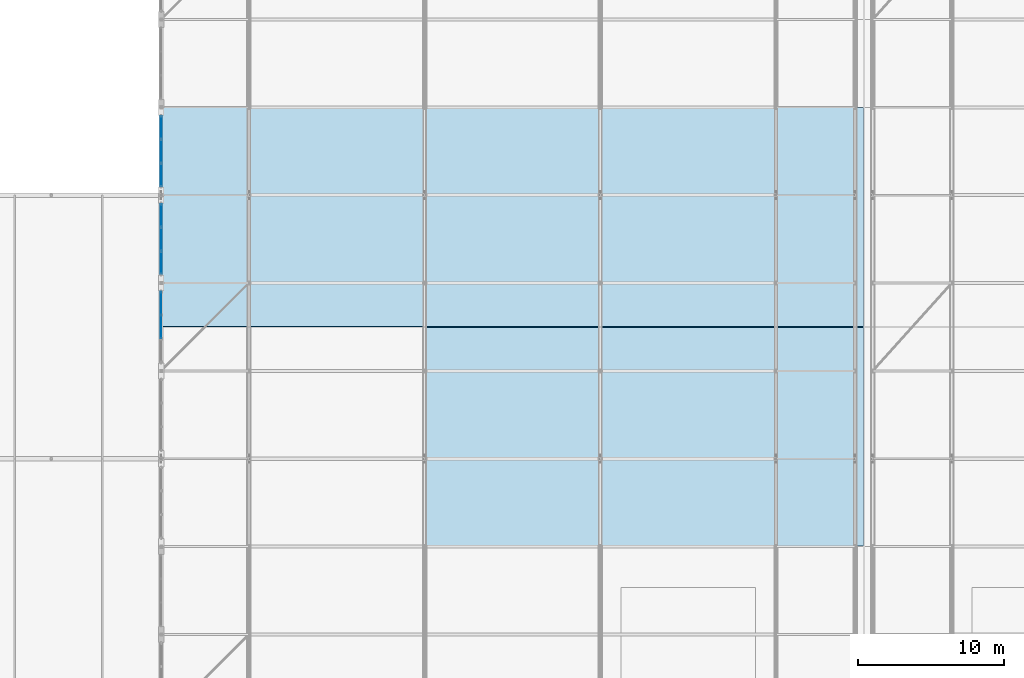
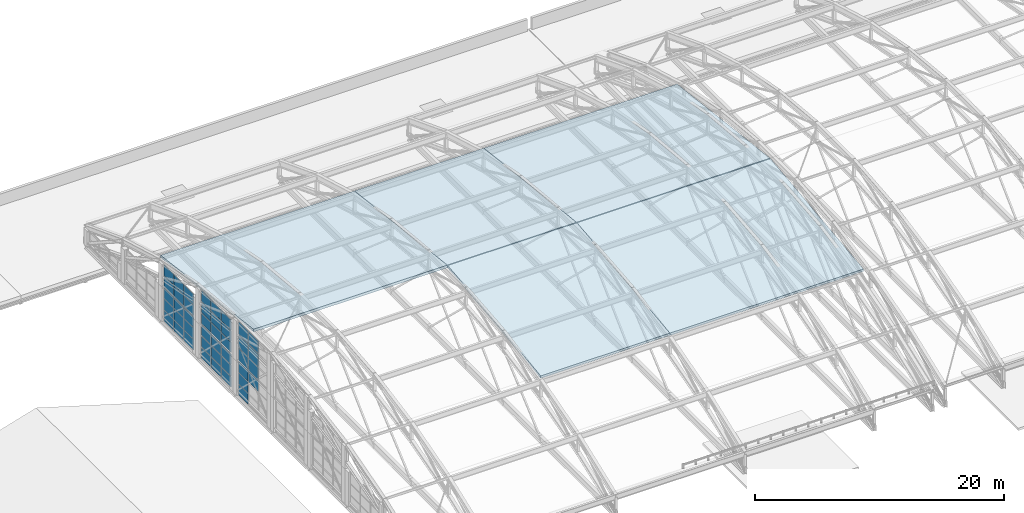
# One storey, part 161 of 204: 43 plates, 5 slabs, 7 elements without a shape of their own.
"""IFC4 building model written with IfcOpenShell, lengths in metres."""

from ifc_helpers import new_model, si_unit, direction, frame, origin, origin_2d, place, context, subcontext, project, spatial, polyline, rectangle, outline, extrude, material, layer, layer_set, type_object, element, aggregate, save


model = new_model("IFC4")

# Units and contexts
model_context = context("Model", 3, precision=1e-05, world=origin(), true_north=direction((0.0, 1.0)))
body_context = subcontext(model_context, "Body", "Model", "MODEL_VIEW")
ifc_project = project(units=[si_unit("LENGTHUNIT", "METRE"), si_unit("AREAUNIT", "SQUARE_METRE"), si_unit("VOLUMEUNIT", "CUBIC_METRE"), si_unit("PLANEANGLEUNIT", "RADIAN"), si_unit("MASSUNIT", "GRAM", prefix="KILO")], contexts=[model_context])

# Site, building, storey
site_placement = place(None, origin())
site = spatial("IfcSite", under=ifc_project, at=site_placement, CompositionType="ELEMENT")
building_placement = place(site_placement, origin())
building = spatial("IfcBuilding", under=site, at=building_placement, Name="Zilviju Railside Exhibition Hall", CompositionType="ELEMENT")
storey_placement = place(building_placement, frame((0.0, 0.0, 21.0)))
storey = spatial("IfcBuildingStorey", under=building, at=storey_placement, Name="RF", CompositionType="ELEMENT", Elevation=21.0)

# Curtain wall, plates
ifc_material_1 = material(Name="Thermally broken aluminium-steel triple-glazed curtain wall", Category="steel")
ifc_layer_1 = layer(ifc_material_1, 0.179931640625)
ifc_layer_set_1 = layer_set([ifc_layer_1], Name="Thermally broken aluminium-steel triple-glazed curtain wall")
curtain_wall_type_1 = type_object("IfcCurtainWallType", Name="CW-BAY-03", PredefinedType="USERDEFINED", material=ifc_layer_set_1)
curtain_wall_1_placement = place(storey_placement, origin())
curtain_wall_1 = element("IfcCurtainWall", 1, at=curtain_wall_1_placement, inside=storey, type_object=curtain_wall_type_1, Name="North Hall Arch Lower Tympanum Glazing West P5", ObjectType="GLAZED CURTAIN WALL", PredefinedType="USERDEFINED")
ifc_material_2 = material(Name="Laminated acoustic double-glazed porch unit", Category="glass")
ifc_layer_2 = layer(ifc_material_2, 0.031982421875)
ifc_layer_set_2 = layer_set([ifc_layer_2], Name="Laminated acoustic double-glazed porch unit")
plate_type_1 = type_object("IfcPlateType", Name="CWP-IGU-32", PredefinedType="CURTAIN_PANEL", material=ifc_layer_set_2)
plate_1_placement = place(storey_placement, frame((78.0, 111.0, -1.302978515625), z_axis=(0.0, 0.0, 1.0), x_axis=(0.0, 1.0, 0.0)))
plate_1 = element("IfcPlate", 2, at=plate_1_placement, type_object=plate_type_1, Name="CW-03 panel 2.3", PredefinedType="CURTAIN_PANEL", context=body_context, shape_type="SweptSolid", body=[
    extrude(rectangle(XDim=1.5732421875, YDim=0.031982421875, at=origin_2d()), origin(), (0.0, 0.0, 1.0), 1.04296875),
])
plate_2_placement = place(storey_placement, frame((78.0, 112.618408203125, -3.5400390625), z_axis=(0.0, 0.0, 1.0), x_axis=(0.0, 1.0, 0.0)))
plate_2 = element("IfcPlate", 3, at=plate_2_placement, type_object=plate_type_1, Name="CW-03 panel 3.1", PredefinedType="CURTAIN_PANEL", context=body_context, shape_type="SweptSolid", body=[
    extrude(rectangle(XDim=1.543212890625, YDim=0.031982421875, at=origin_2d()), origin(), (0.0, 0.0, 1.0), 1.04296875),
])
plate_3_placement = place(storey_placement, frame((78.0, 112.618408203125, -2.43701171875), z_axis=(0.0, 0.0, 1.0), x_axis=(0.0, 1.0, 0.0)))
plate_3 = element("IfcPlate", 4, at=plate_3_placement, type_object=plate_type_1, Name="CW-03 panel 3.2", PredefinedType="CURTAIN_PANEL", context=body_context, shape_type="SweptSolid", body=[
    extrude(rectangle(XDim=1.543212890625, YDim=0.031982421875, at=origin_2d()), origin(), (0.0, 0.0, 1.0), 1.073974609375),
])
plate_4_placement = place(storey_placement, frame((78.0, 112.618408203125, -1.302978515625), z_axis=(0.0, 0.0, 1.0), x_axis=(0.0, 1.0, 0.0)))
plate_4 = element("IfcPlate", 5, at=plate_4_placement, type_object=plate_type_1, Name="CW-03 panel 3.3", PredefinedType="CURTAIN_PANEL", context=body_context, shape_type="SweptSolid", body=[
    extrude(rectangle(XDim=1.543212890625, YDim=0.031982421875, at=origin_2d()), origin(), (0.0, 0.0, 1.0), 1.04296875),
])
aggregate(curtain_wall_1, [plate_1, plate_2, plate_3, plate_4])

ifc_layer_3 = layer(ifc_material_1, 0.179931640625)
ifc_layer_set_3 = layer_set([ifc_layer_3], Name="Thermally broken aluminium-steel triple-glazed curtain wall")
curtain_wall_type_2 = type_object("IfcCurtainWallType", Name="CW-BAY-12", PredefinedType="USERDEFINED", material=ifc_layer_set_3)
curtain_wall_2_placement = place(storey_placement, origin())
curtain_wall_2 = element("IfcCurtainWall", 6, at=curtain_wall_2_placement, inside=storey, type_object=curtain_wall_type_2, Name="North Hall Crown Arch Tympanum Glazing West P7", ObjectType="GLAZED CURTAIN WALL", PredefinedType="USERDEFINED")
ifc_material_3 = material(Name="Triple-glazed low-E argon insulating glass unit", Category="glass")
ifc_layer_4 = layer(ifc_material_3, 0.0439453125)
ifc_layer_set_4 = layer_set([ifc_layer_4], Name="Triple-glazed low-E argon insulating glass unit")
plate_type_2 = type_object("IfcPlateType", Name="CWP-IGU-44", PredefinedType="CURTAIN_PANEL", material=ifc_layer_set_4)
plate_5_placement = place(storey_placement, frame((78.0, 121.38037109375, -0.14501953125), z_axis=(0.0, 0.0, 1.0), x_axis=(0.0, 1.0, 0.0)))
plate_5 = element("IfcPlate", 7, at=plate_5_placement, type_object=plate_type_2, Name="CW-12 panel 1.1", PredefinedType="CURTAIN_PANEL", context=body_context, shape_type="SweptSolid", body=[
    extrude(rectangle(XDim=1.55078125, YDim=0.0439453125, at=origin_2d()), origin(), (0.0, 0.0, 1.0), 1.0224609375),
])
plate_6_placement = place(storey_placement, frame((78.0, 121.38037109375, 0.932373046875), z_axis=(0.0, 0.0, 1.0), x_axis=(0.0, 1.0, 0.0)))
plate_6 = element("IfcPlate", 8, at=plate_6_placement, type_object=plate_type_2, Name="CW-12 panel 1.2", PredefinedType="CURTAIN_PANEL", context=body_context, shape_type="SweptSolid", body=[
    extrude(rectangle(XDim=1.55078125, YDim=0.0439453125, at=origin_2d()), origin(), (0.0, 0.0, 1.0), 1.0224609375),
])
plate_7_placement = place(storey_placement, frame((78.0, 123.0, -0.14501953125), z_axis=(0.0, 0.0, 1.0), x_axis=(0.0, 1.0, 0.0)))
plate_7 = element("IfcPlate", 9, at=plate_7_placement, type_object=plate_type_2, Name="CW-12 panel 2.1", PredefinedType="CURTAIN_PANEL", context=body_context, shape_type="SweptSolid", body=[
    extrude(rectangle(XDim=1.578369140625, YDim=0.0439453125, at=origin_2d()), origin(), (0.0, 0.0, 1.0), 1.0224609375),
])
plate_8_placement = place(storey_placement, frame((78.0, 123.0, 0.932373046875), z_axis=(0.0, 0.0, 1.0), x_axis=(0.0, 1.0, 0.0)))
plate_8 = element("IfcPlate", 10, at=plate_8_placement, type_object=plate_type_2, Name="CW-12 panel 2.2", PredefinedType="CURTAIN_PANEL", context=body_context, shape_type="SweptSolid", body=[
    extrude(rectangle(XDim=1.578369140625, YDim=0.0439453125, at=origin_2d()), origin(), (0.0, 0.0, 1.0), 1.0224609375),
])
plate_9_placement = place(storey_placement, frame((78.0, 124.61962890625, -0.14501953125), z_axis=(0.0, 0.0, 1.0), x_axis=(0.0, 1.0, 0.0)))
plate_9 = element("IfcPlate", 11, at=plate_9_placement, type_object=plate_type_2, Name="CW-12 panel 3.1", PredefinedType="CURTAIN_PANEL", context=body_context, shape_type="SweptSolid", body=[
    extrude(rectangle(XDim=1.55078125, YDim=0.0439453125, at=origin_2d()), origin(), (0.0, 0.0, 1.0), 1.0224609375),
])
plate_10_placement = place(storey_placement, frame((78.0, 124.61962890625, 0.932373046875), z_axis=(0.0, 0.0, 1.0), x_axis=(0.0, 1.0, 0.0)))
plate_10 = element("IfcPlate", 12, at=plate_10_placement, type_object=plate_type_2, Name="CW-12 panel 3.2", PredefinedType="CURTAIN_PANEL", context=body_context, shape_type="SweptSolid", body=[
    extrude(rectangle(XDim=1.55078125, YDim=0.0439453125, at=origin_2d()), origin(), (0.0, 0.0, 1.0), 1.0224609375),
])
aggregate(curtain_wall_2, [plate_5, plate_6, plate_7, plate_8, plate_9, plate_10])

ifc_layer_5 = layer(ifc_material_1, 0.179931640625)
ifc_layer_set_5 = layer_set([ifc_layer_5], Name="Thermally broken aluminium-steel triple-glazed curtain wall")
curtain_wall_type_3 = type_object("IfcCurtainWallType", Name="CW-BAY-04", PredefinedType="USERDEFINED", material=ifc_layer_set_5)
curtain_wall_3_placement = place(storey_placement, origin())
curtain_wall_3 = element("IfcCurtainWall", 13, at=curtain_wall_3_placement, inside=storey, type_object=curtain_wall_type_3, Name="North Hall Arch Lower Tympanum Glazing West P6", ObjectType="GLAZED CURTAIN WALL", PredefinedType="USERDEFINED")
ifc_material_4 = material(Name="Insulated cobalt-blue enamelled spandrel glass panel", Category="glass")
ifc_layer_6 = layer(ifc_material_4, 0.052001953125)
ifc_layer_set_6 = layer_set([ifc_layer_6], Name="Insulated cobalt-blue enamelled spandrel glass panel")
plate_type_3 = type_object("IfcPlateType", Name="CWP-SPD-52", PredefinedType="CURTAIN_PANEL", material=ifc_layer_set_6)
plate_11_placement = place(storey_placement, frame((78.0, 115.38671875, -3.52001953125), z_axis=(0.0, 0.0, 1.0), x_axis=(0.0, 1.0, 0.0)))
plate_11 = element("IfcPlate", 14, at=plate_11_placement, type_object=plate_type_3, Name="CW-04 panel 1.1", PredefinedType="CURTAIN_PANEL", context=body_context, shape_type="SweptSolid", body=[
    extrude(rectangle(XDim=1.513427734375, YDim=0.052001953125, at=origin_2d()), origin(), (0.0, 0.0, 1.0), 1.012939453125),
])
plate_12_placement = place(storey_placement, frame((78.0, 115.38671875, -2.4267578125), z_axis=(0.0, 0.0, 1.0), x_axis=(0.0, 1.0, 0.0)))
plate_12 = element("IfcPlate", 15, at=plate_12_placement, type_object=plate_type_3, Name="CW-04 panel 1.2", PredefinedType="CURTAIN_PANEL", context=body_context, shape_type="SweptSolid", body=[
    extrude(rectangle(XDim=1.513427734375, YDim=0.052001953125, at=origin_2d()), origin(), (0.0, 0.0, 1.0), 1.053955078125),
])
plate_13_placement = place(storey_placement, frame((78.0, 115.38671875, -1.29296875), z_axis=(0.0, 0.0, 1.0), x_axis=(0.0, 1.0, 0.0)))
plate_13 = element("IfcPlate", 16, at=plate_13_placement, type_object=plate_type_3, Name="CW-04 panel 1.3", PredefinedType="CURTAIN_PANEL", context=body_context, shape_type="SweptSolid", body=[
    extrude(rectangle(XDim=1.513427734375, YDim=0.052001953125, at=origin_2d()), origin(), (0.0, 0.0, 1.0), 1.012939453125),
])
plate_14_placement = place(storey_placement, frame((78.0, 117.0, -3.52001953125), z_axis=(0.0, 0.0, 1.0), x_axis=(0.0, 1.0, 0.0)))
plate_14 = element("IfcPlate", 17, at=plate_14_placement, type_object=plate_type_3, Name="CW-04 panel 2.1", PredefinedType="CURTAIN_PANEL", context=body_context, shape_type="SweptSolid", body=[
    extrude(rectangle(XDim=1.55322265625, YDim=0.052001953125, at=origin_2d()), origin(), (0.0, 0.0, 1.0), 1.012939453125),
])
plate_15_placement = place(storey_placement, frame((78.0, 117.0, -2.4267578125), z_axis=(0.0, 0.0, 1.0), x_axis=(0.0, 1.0, 0.0)))
plate_15 = element("IfcPlate", 18, at=plate_15_placement, type_object=plate_type_3, Name="CW-04 panel 2.2", PredefinedType="CURTAIN_PANEL", context=body_context, shape_type="SweptSolid", body=[
    extrude(rectangle(XDim=1.55322265625, YDim=0.052001953125, at=origin_2d()), origin(), (0.0, 0.0, 1.0), 1.053955078125),
])
plate_16_placement = place(storey_placement, frame((78.0, 117.0, -1.29296875), z_axis=(0.0, 0.0, 1.0), x_axis=(0.0, 1.0, 0.0)))
plate_16 = element("IfcPlate", 19, at=plate_16_placement, type_object=plate_type_3, Name="CW-04 panel 2.3", PredefinedType="CURTAIN_PANEL", context=body_context, shape_type="SweptSolid", body=[
    extrude(rectangle(XDim=1.55322265625, YDim=0.052001953125, at=origin_2d()), origin(), (0.0, 0.0, 1.0), 1.012939453125),
])
plate_17_placement = place(storey_placement, frame((78.0, 118.61328125, -3.52001953125), z_axis=(0.0, 0.0, 1.0), x_axis=(0.0, 1.0, 0.0)))
plate_17 = element("IfcPlate", 20, at=plate_17_placement, type_object=plate_type_3, Name="CW-04 panel 3.1", PredefinedType="CURTAIN_PANEL", context=body_context, shape_type="SweptSolid", body=[
    extrude(rectangle(XDim=1.513427734375, YDim=0.052001953125, at=origin_2d()), origin(), (0.0, 0.0, 1.0), 1.012939453125),
])
plate_18_placement = place(storey_placement, frame((78.0, 118.61328125, -2.4267578125), z_axis=(0.0, 0.0, 1.0), x_axis=(0.0, 1.0, 0.0)))
plate_18 = element("IfcPlate", 21, at=plate_18_placement, type_object=plate_type_3, Name="CW-04 panel 3.2", PredefinedType="CURTAIN_PANEL", context=body_context, shape_type="SweptSolid", body=[
    extrude(rectangle(XDim=1.513427734375, YDim=0.052001953125, at=origin_2d()), origin(), (0.0, 0.0, 1.0), 1.053955078125),
])
plate_19_placement = place(storey_placement, frame((78.0, 118.61328125, -1.29296875), z_axis=(0.0, 0.0, 1.0), x_axis=(0.0, 1.0, 0.0)))
plate_19 = element("IfcPlate", 22, at=plate_19_placement, type_object=plate_type_3, Name="CW-04 panel 3.3", PredefinedType="CURTAIN_PANEL", context=body_context, shape_type="SweptSolid", body=[
    extrude(rectangle(XDim=1.513427734375, YDim=0.052001953125, at=origin_2d()), origin(), (0.0, 0.0, 1.0), 1.012939453125),
])
aggregate(curtain_wall_3, [plate_11, plate_12, plate_13, plate_14, plate_15, plate_16, plate_17, plate_18, plate_19])

ifc_layer_7 = layer(ifc_material_1, 0.179931640625)
ifc_layer_set_7 = layer_set([ifc_layer_7], Name="Thermally broken aluminium-steel triple-glazed curtain wall")
curtain_wall_type_4 = type_object("IfcCurtainWallType", Name="CW-BAY-10", PredefinedType="USERDEFINED", material=ifc_layer_set_7)
curtain_wall_4_placement = place(storey_placement, origin())
curtain_wall_4 = element("IfcCurtainWall", 23, at=curtain_wall_4_placement, inside=storey, type_object=curtain_wall_type_4, Name="North Hall Crown Arch Tympanum Glazing West P5", ObjectType="GLAZED CURTAIN WALL", PredefinedType="USERDEFINED")
plate_20_placement = place(storey_placement, frame((78.0, 111.0, -0.119873046875), z_axis=(0.0, 0.0, 1.0), x_axis=(0.0, 1.0, 0.0)))
plate_20 = element("IfcPlate", 24, at=plate_20_placement, type_object=plate_type_3, Name="CW-10 panel 2.1", PredefinedType="CURTAIN_PANEL", context=body_context, shape_type="SweptSolid", body=[
    extrude(rectangle(XDim=1.55322265625, YDim=0.052001953125, at=origin_2d()), origin(), (0.0, 0.0, 1.0), 1.18896484375),
])
plate_21_placement = place(storey_placement, frame((78.0, 111.0, 1.14892578125), z_axis=(0.0, 0.0, 1.0), x_axis=(0.0, 1.0, 0.0)))
plate_21 = element("IfcPlate", 25, at=plate_21_placement, type_object=plate_type_3, Name="CW-10 panel 2.2", PredefinedType="CURTAIN_PANEL", context=body_context, shape_type="SweptSolid", body=[
    extrude(rectangle(XDim=1.55322265625, YDim=0.052001953125, at=origin_2d()), origin(), (0.0, 0.0, 1.0), 1.22998046875),
])
plate_22_placement = place(storey_placement, frame((78.0, 111.0, 2.458984375), z_axis=(0.0, 0.0, 1.0), x_axis=(0.0, 1.0, 0.0)))
plate_22 = element("IfcPlate", 26, at=plate_22_placement, type_object=plate_type_3, Name="CW-10 panel 2.3", PredefinedType="CURTAIN_PANEL", context=body_context, shape_type="SweptSolid", body=[
    extrude(rectangle(XDim=1.55322265625, YDim=0.052001953125, at=origin_2d()), origin(), (0.0, 0.0, 1.0), 1.189453125),
])
plate_23_placement = place(storey_placement, frame((78.0, 112.61328125, -0.119873046875), z_axis=(0.0, 0.0, 1.0), x_axis=(0.0, 1.0, 0.0)))
plate_23 = element("IfcPlate", 27, at=plate_23_placement, type_object=plate_type_3, Name="CW-10 panel 3.1", PredefinedType="CURTAIN_PANEL", context=body_context, shape_type="SweptSolid", body=[
    extrude(rectangle(XDim=1.513427734375, YDim=0.052001953125, at=origin_2d()), origin(), (0.0, 0.0, 1.0), 1.18896484375),
])
plate_24_placement = place(storey_placement, frame((78.0, 112.61328125, 1.14892578125), z_axis=(0.0, 0.0, 1.0), x_axis=(0.0, 1.0, 0.0)))
plate_24 = element("IfcPlate", 28, at=plate_24_placement, type_object=plate_type_3, Name="CW-10 panel 3.2", PredefinedType="CURTAIN_PANEL", context=body_context, shape_type="SweptSolid", body=[
    extrude(rectangle(XDim=1.513427734375, YDim=0.052001953125, at=origin_2d()), origin(), (0.0, 0.0, 1.0), 1.22998046875),
])
plate_25_placement = place(storey_placement, frame((78.0, 112.61328125, 2.458984375), z_axis=(0.0, 0.0, 1.0), x_axis=(0.0, 1.0, 0.0)))
plate_25 = element("IfcPlate", 29, at=plate_25_placement, type_object=plate_type_3, Name="CW-10 panel 3.3", PredefinedType="CURTAIN_PANEL", context=body_context, shape_type="SweptSolid", body=[
    extrude(rectangle(XDim=1.513427734375, YDim=0.052001953125, at=origin_2d()), origin(), (0.0, 0.0, 1.0), 1.189453125),
])
aggregate(curtain_wall_4, [plate_20, plate_21, plate_22, plate_23, plate_24, plate_25])

ifc_layer_8 = layer(ifc_material_1, 0.179931640625)
ifc_layer_set_8 = layer_set([ifc_layer_8], Name="Thermally broken aluminium-steel triple-glazed curtain wall")
curtain_wall_type_5 = type_object("IfcCurtainWallType", Name="CW-BAY-05", PredefinedType="USERDEFINED", material=ifc_layer_set_8)
curtain_wall_5_placement = place(storey_placement, origin())
curtain_wall_5 = element("IfcCurtainWall", 30, at=curtain_wall_5_placement, inside=storey, type_object=curtain_wall_type_5, Name="North Hall Arch Lower Tympanum Glazing West P7", ObjectType="GLAZED CURTAIN WALL", PredefinedType="USERDEFINED")
ifc_material_5 = material(Name="Insulated emerald ceramic-frit spandrel panel", Category="glass")
ifc_layer_9 = layer(ifc_material_5, 0.06396484375)
ifc_layer_set_9 = layer_set([ifc_layer_9], Name="Insulated emerald ceramic-frit spandrel panel")
plate_type_4 = type_object("IfcPlateType", Name="CWP-SPD-64", PredefinedType="CURTAIN_PANEL", material=ifc_layer_set_9)
plate_26_placement = place(storey_placement, frame((78.0, 121.385498046875, -3.52490234375), z_axis=(0.0, 0.0, 1.0), x_axis=(0.0, 1.0, 0.0)))
plate_26 = element("IfcPlate", 31, at=plate_26_placement, type_object=plate_type_4, Name="CW-05 panel 1.1", PredefinedType="CURTAIN_PANEL", context=body_context, shape_type="SweptSolid", body=[
    extrude(rectangle(XDim=1.520751953125, YDim=0.06396484375, at=origin_2d()), origin(), (0.0, 0.0, 1.0), 1.0205078125),
])
plate_27_placement = place(storey_placement, frame((78.0, 121.385498046875, -2.429443359375), z_axis=(0.0, 0.0, 1.0), x_axis=(0.0, 1.0, 0.0)))
plate_27 = element("IfcPlate", 32, at=plate_27_placement, type_object=plate_type_4, Name="CW-05 panel 1.2", PredefinedType="CURTAIN_PANEL", context=body_context, shape_type="SweptSolid", body=[
    extrude(rectangle(XDim=1.520751953125, YDim=0.06396484375, at=origin_2d()), origin(), (0.0, 0.0, 1.0), 1.05908203125),
])
plate_28_placement = place(storey_placement, frame((78.0, 121.385498046875, -1.29541015625), z_axis=(0.0, 0.0, 1.0), x_axis=(0.0, 1.0, 0.0)))
plate_28 = element("IfcPlate", 33, at=plate_28_placement, type_object=plate_type_4, Name="CW-05 panel 1.3", PredefinedType="CURTAIN_PANEL", context=body_context, shape_type="SweptSolid", body=[
    extrude(rectangle(XDim=1.520751953125, YDim=0.06396484375, at=origin_2d()), origin(), (0.0, 0.0, 1.0), 1.0205078125),
])
plate_29_placement = place(storey_placement, frame((78.0, 123.0, -3.52490234375), z_axis=(0.0, 0.0, 1.0), x_axis=(0.0, 1.0, 0.0)))
plate_29 = element("IfcPlate", 34, at=plate_29_placement, type_object=plate_type_4, Name="CW-05 panel 2.1", PredefinedType="CURTAIN_PANEL", context=body_context, shape_type="SweptSolid", body=[
    extrude(rectangle(XDim=1.558349609375, YDim=0.06396484375, at=origin_2d()), origin(), (0.0, 0.0, 1.0), 1.0205078125),
])
plate_30_placement = place(storey_placement, frame((78.0, 123.0, -2.429443359375), z_axis=(0.0, 0.0, 1.0), x_axis=(0.0, 1.0, 0.0)))
plate_30 = element("IfcPlate", 35, at=plate_30_placement, type_object=plate_type_4, Name="CW-05 panel 2.2", PredefinedType="CURTAIN_PANEL", context=body_context, shape_type="SweptSolid", body=[
    extrude(rectangle(XDim=1.558349609375, YDim=0.06396484375, at=origin_2d()), origin(), (0.0, 0.0, 1.0), 1.05908203125),
])
plate_31_placement = place(storey_placement, frame((78.0, 123.0, -1.29541015625), z_axis=(0.0, 0.0, 1.0), x_axis=(0.0, 1.0, 0.0)))
plate_31 = element("IfcPlate", 36, at=plate_31_placement, type_object=plate_type_4, Name="CW-05 panel 2.3", PredefinedType="CURTAIN_PANEL", context=body_context, shape_type="SweptSolid", body=[
    extrude(rectangle(XDim=1.558349609375, YDim=0.06396484375, at=origin_2d()), origin(), (0.0, 0.0, 1.0), 1.0205078125),
])
plate_32_placement = place(storey_placement, frame((78.0, 124.614501953125, -3.52490234375), z_axis=(0.0, 0.0, 1.0), x_axis=(0.0, 1.0, 0.0)))
plate_32 = element("IfcPlate", 37, at=plate_32_placement, type_object=plate_type_4, Name="CW-05 panel 3.1", PredefinedType="CURTAIN_PANEL", context=body_context, shape_type="SweptSolid", body=[
    extrude(rectangle(XDim=1.520751953125, YDim=0.06396484375, at=origin_2d()), origin(), (0.0, 0.0, 1.0), 1.0205078125),
])
plate_33_placement = place(storey_placement, frame((78.0, 124.614501953125, -2.429443359375), z_axis=(0.0, 0.0, 1.0), x_axis=(0.0, 1.0, 0.0)))
plate_33 = element("IfcPlate", 38, at=plate_33_placement, type_object=plate_type_4, Name="CW-05 panel 3.2", PredefinedType="CURTAIN_PANEL", context=body_context, shape_type="SweptSolid", body=[
    extrude(rectangle(XDim=1.520751953125, YDim=0.06396484375, at=origin_2d()), origin(), (0.0, 0.0, 1.0), 1.05908203125),
])
plate_34_placement = place(storey_placement, frame((78.0, 124.614501953125, -1.29541015625), z_axis=(0.0, 0.0, 1.0), x_axis=(0.0, 1.0, 0.0)))
plate_34 = element("IfcPlate", 39, at=plate_34_placement, type_object=plate_type_4, Name="CW-05 panel 3.3", PredefinedType="CURTAIN_PANEL", context=body_context, shape_type="SweptSolid", body=[
    extrude(rectangle(XDim=1.520751953125, YDim=0.06396484375, at=origin_2d()), origin(), (0.0, 0.0, 1.0), 1.0205078125),
])
aggregate(curtain_wall_5, [plate_26, plate_27, plate_28, plate_29, plate_30, plate_31, plate_32, plate_33, plate_34])

ifc_layer_10 = layer(ifc_material_1, 0.179931640625)
ifc_layer_set_10 = layer_set([ifc_layer_10], Name="Thermally broken aluminium-steel triple-glazed curtain wall")
curtain_wall_type_6 = type_object("IfcCurtainWallType", Name="CW-BAY-11", PredefinedType="USERDEFINED", material=ifc_layer_set_10)
curtain_wall_6_placement = place(storey_placement, origin())
curtain_wall_6 = element("IfcCurtainWall", 40, at=curtain_wall_6_placement, inside=storey, type_object=curtain_wall_type_6, Name="North Hall Crown Arch Tympanum Glazing West P6", ObjectType="GLAZED CURTAIN WALL", PredefinedType="USERDEFINED")
plate_35_placement = place(storey_placement, frame((78.0, 115.385498046875, -0.125), z_axis=(0.0, 0.0, 1.0), x_axis=(0.0, 1.0, 0.0)))
plate_35 = element("IfcPlate", 41, at=plate_35_placement, type_object=plate_type_4, Name="CW-11 panel 1.1", PredefinedType="CURTAIN_PANEL", context=body_context, shape_type="SweptSolid", body=[
    extrude(rectangle(XDim=1.520751953125, YDim=0.06396484375, at=origin_2d()), origin(), (0.0, 0.0, 1.0), 1.006591796875),
])
plate_36_placement = place(storey_placement, frame((78.0, 115.385498046875, 0.95654296875), z_axis=(0.0, 0.0, 1.0), x_axis=(0.0, 1.0, 0.0)))
plate_36 = element("IfcPlate", 42, at=plate_36_placement, type_object=plate_type_4, Name="CW-11 panel 1.2", PredefinedType="CURTAIN_PANEL", context=body_context, shape_type="SweptSolid", body=[
    extrude(rectangle(XDim=1.520751953125, YDim=0.06396484375, at=origin_2d()), origin(), (0.0, 0.0, 1.0), 1.04296875),
])
plate_37_placement = place(storey_placement, frame((78.0, 115.385498046875, 2.07470703125), z_axis=(0.0, 0.0, 1.0), x_axis=(0.0, 1.0, 0.0)))
plate_37 = element("IfcPlate", 43, at=plate_37_placement, type_object=plate_type_4, Name="CW-11 panel 1.3", PredefinedType="CURTAIN_PANEL", context=body_context, shape_type="SweptSolid", body=[
    extrude(rectangle(XDim=1.520751953125, YDim=0.06396484375, at=origin_2d()), origin(), (0.0, 0.0, 1.0), 1.006103515625),
])
plate_38_placement = place(storey_placement, frame((78.0, 117.0, -0.125), z_axis=(0.0, 0.0, 1.0), x_axis=(0.0, 1.0, 0.0)))
plate_38 = element("IfcPlate", 44, at=plate_38_placement, type_object=plate_type_4, Name="CW-11 panel 2.1", PredefinedType="CURTAIN_PANEL", context=body_context, shape_type="SweptSolid", body=[
    extrude(rectangle(XDim=1.558349609375, YDim=0.06396484375, at=origin_2d()), origin(), (0.0, 0.0, 1.0), 1.006591796875),
])
plate_39_placement = place(storey_placement, frame((78.0, 117.0, 0.95654296875), z_axis=(0.0, 0.0, 1.0), x_axis=(0.0, 1.0, 0.0)))
plate_39 = element("IfcPlate", 45, at=plate_39_placement, type_object=plate_type_4, Name="CW-11 panel 2.2", PredefinedType="CURTAIN_PANEL", context=body_context, shape_type="SweptSolid", body=[
    extrude(rectangle(XDim=1.558349609375, YDim=0.06396484375, at=origin_2d()), origin(), (0.0, 0.0, 1.0), 1.04296875),
])
plate_40_placement = place(storey_placement, frame((78.0, 117.0, 2.07470703125), z_axis=(0.0, 0.0, 1.0), x_axis=(0.0, 1.0, 0.0)))
plate_40 = element("IfcPlate", 46, at=plate_40_placement, type_object=plate_type_4, Name="CW-11 panel 2.3", PredefinedType="CURTAIN_PANEL", context=body_context, shape_type="SweptSolid", body=[
    extrude(rectangle(XDim=1.558349609375, YDim=0.06396484375, at=origin_2d()), origin(), (0.0, 0.0, 1.0), 1.006103515625),
])
plate_41_placement = place(storey_placement, frame((78.0, 118.614501953125, -0.125), z_axis=(0.0, 0.0, 1.0), x_axis=(0.0, 1.0, 0.0)))
plate_41 = element("IfcPlate", 47, at=plate_41_placement, type_object=plate_type_4, Name="CW-11 panel 3.1", PredefinedType="CURTAIN_PANEL", context=body_context, shape_type="SweptSolid", body=[
    extrude(rectangle(XDim=1.520751953125, YDim=0.06396484375, at=origin_2d()), origin(), (0.0, 0.0, 1.0), 1.006591796875),
])
plate_42_placement = place(storey_placement, frame((78.0, 118.614501953125, 0.95654296875), z_axis=(0.0, 0.0, 1.0), x_axis=(0.0, 1.0, 0.0)))
plate_42 = element("IfcPlate", 48, at=plate_42_placement, type_object=plate_type_4, Name="CW-11 panel 3.2", PredefinedType="CURTAIN_PANEL", context=body_context, shape_type="SweptSolid", body=[
    extrude(rectangle(XDim=1.520751953125, YDim=0.06396484375, at=origin_2d()), origin(), (0.0, 0.0, 1.0), 1.04296875),
])
plate_43_placement = place(storey_placement, frame((78.0, 118.614501953125, 2.07470703125), z_axis=(0.0, 0.0, 1.0), x_axis=(0.0, 1.0, 0.0)))
plate_43 = element("IfcPlate", 49, at=plate_43_placement, type_object=plate_type_4, Name="CW-11 panel 3.3", PredefinedType="CURTAIN_PANEL", context=body_context, shape_type="SweptSolid", body=[
    extrude(rectangle(XDim=1.520751953125, YDim=0.06396484375, at=origin_2d()), origin(), (0.0, 0.0, 1.0), 1.006103515625),
])
aggregate(curtain_wall_6, [plate_35, plate_36, plate_37, plate_38, plate_39, plate_40, plate_41, plate_42, plate_43])

# Roof, slabs
ifc_material_6 = material(Name="Standing-seam zinc-copper acoustic barrel roof deck", Category="steel")
ifc_layer_11 = layer(ifc_material_6, 0.239990234375)
ifc_layer_set_11 = layer_set([ifc_layer_11], Name="Standing-seam zinc-copper acoustic barrel roof deck")
roof_type = type_object("IfcRoofType", Name="ROOF-BARREL-ZINC", PredefinedType="BARREL_ROOF", material=ifc_layer_set_11)
roof_placement = place(storey_placement, origin())
roof = element("IfcRoof", 50, at=roof_placement, inside=storey, type_object=roof_type, Name="V2 Standing-Seam Barrel Vault Roof Block 1", PredefinedType="BARREL_ROOF")
ifc_material_7 = material(Name="Concrete C35/45", Category="concrete")
ifc_layer_12 = layer(ifc_material_7, 0.239990234375)
ifc_layer_set_12 = layer_set([ifc_layer_12], Name="Concrete C35/45")
slab_type = type_object("IfcSlabType", Name="SL-ROOF-240", PredefinedType="ROOF", material=ifc_layer_set_12)
slab_1_placement = place(storey_placement, frame((96.0, 96.02490234375, 2.5478515625), z_axis=(0.0, -0.118492781909, 0.992954913697), x_axis=(1.0, 0.0, 0.0)))
slab_1 = element("IfcSlab", 51, at=slab_1_placement, type_object=slab_type, Name="V2 Barrel Vault Roof Deck B1.4", PredefinedType="ROOF", context=body_context, shape_type="SweptSolid", body=[
    extrude(outline(polyline([(0.0, 0.0), (12.0, 0.0), (12.0, 15.051104690874254), (0.0, 15.051104690874254), (0.0, 0.0)])), origin(), (0.0, 0.0, -1.0), 0.239990234375),
])
slab_2_placement = place(storey_placement, frame((108.0, 96.02490234375, 2.5478515625), z_axis=(0.0, -0.118492781909, 0.992954913697), x_axis=(1.0, 0.0, 0.0)))
slab_2 = element("IfcSlab", 52, at=slab_2_placement, type_object=slab_type, Name="V2 Barrel Vault Roof Deck B1.5", PredefinedType="ROOF", context=body_context, shape_type="SweptSolid", body=[
    extrude(outline(polyline([(0.0, 0.0), (17.969970703125, 0.0), (17.969970703125, 15.051104690874256), (0.0, 15.051104690874256), (0.0, 0.0)])), origin(), (0.0, 0.0, -1.0), 0.239990234375),
])
slab_3_placement = place(storey_placement, frame((78.0, 111.030029296875, 4.331298828125), z_axis=(0.0, 0.118492781909, 0.992954913697), x_axis=(1.0, 0.0, 0.0)))
slab_3 = element("IfcSlab", 53, at=slab_3_placement, type_object=slab_type, Name="V2 Barrel Vault Roof Deck B1.6", PredefinedType="ROOF", context=body_context, shape_type="SweptSolid", body=[
    extrude(outline(polyline([(0.0, 0.0), (18.0, 0.0), (18.0, 15.051104690874256), (0.0, 15.051104690874256), (0.0, 0.0)])), origin(), (0.0, 0.0, -1.0), 0.239990234375),
])
slab_4_placement = place(storey_placement, frame((96.0, 111.030029296875, 4.331298828125), z_axis=(0.0, 0.118492781909, 0.992954913697), x_axis=(1.0, 0.0, 0.0)))
slab_4 = element("IfcSlab", 54, at=slab_4_placement, type_object=slab_type, Name="V2 Barrel Vault Roof Deck B1.7", PredefinedType="ROOF", context=body_context, shape_type="SweptSolid", body=[
    extrude(outline(polyline([(0.0, 0.0), (12.0, 0.0), (12.0, 15.051104690874254), (0.0, 15.051104690874254), (0.0, 0.0)])), origin(), (0.0, 0.0, -1.0), 0.239990234375),
])
slab_5_placement = place(storey_placement, frame((108.0, 111.030029296875, 4.331298828125), z_axis=(0.0, 0.118492781909, 0.992954913697), x_axis=(1.0, 0.0, 0.0)))
slab_5 = element("IfcSlab", 55, at=slab_5_placement, type_object=slab_type, Name="V2 Barrel Vault Roof Deck B1.8", PredefinedType="ROOF", context=body_context, shape_type="SweptSolid", body=[
    extrude(outline(polyline([(0.0, 0.0), (17.969970703125, 0.0), (17.969970703125, 15.051104690874256), (0.0, 15.051104690874256), (0.0, 0.0)])), origin(), (0.0, 0.0, -1.0), 0.239990234375),
])
aggregate(roof, [slab_1, slab_2, slab_3, slab_4, slab_5])

save(model, "model.ifc")
